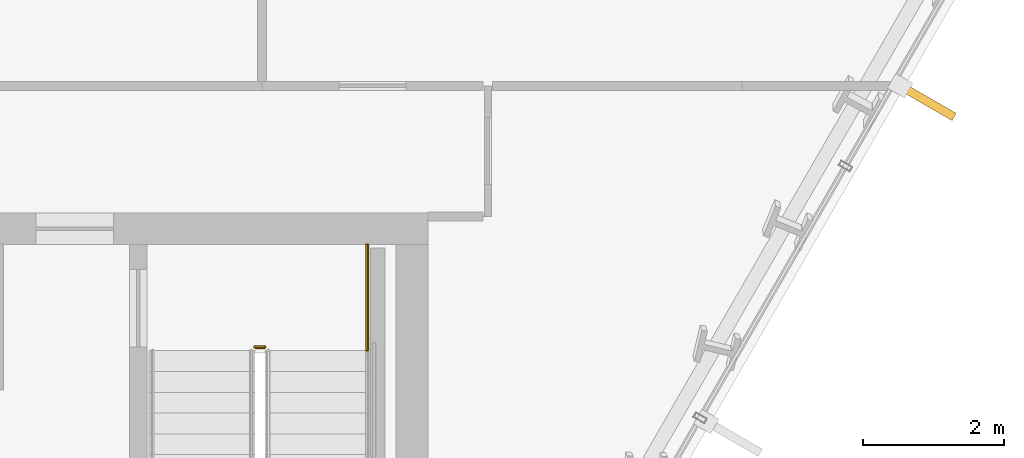
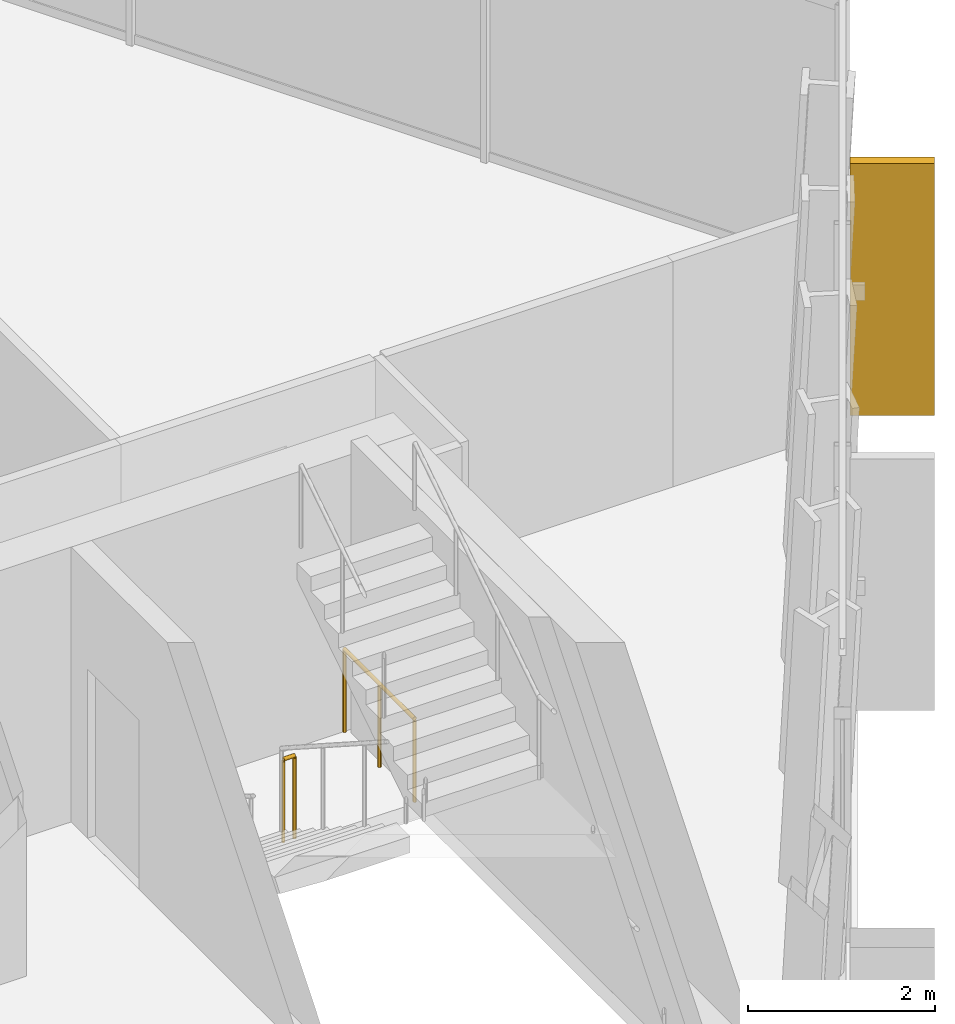
# One storey, part 32 of 33: 2 railings, 1 shading device.
"""IFC4 building model written with IfcOpenShell, lengths in metres."""

import ifcopenshell
import ifcopenshell.guid

model = None  # the IFC model being written
_history = None  # IfcOwnerHistory: only IFC2X3 demands one
_inside = {}  # id of a spatial element -> (the spatial element, [elements in it])
_under = {}  # id of a project, library or spatial element -> (it, [spatial elements below it])
_declared = {}  # id of a project -> (the project, [libraries it declares])
_typed = {}  # id of a type object -> (the type object, [elements of that type])
_made_of = {}  # id of a material, layer set ... -> (it, [elements and type objects made of it])


def new_model(schema):
    """Start an empty IFC model of exactly this schema.

    Asked for "IFC4X3", IfcOpenShell would pick the latest addendum, in which some entities
    have other attributes; the version numbers below select the first issue.
    IFC2X3 requires an IfcOwnerHistory on every rooted entity: one is made here for all.
    """
    global model, _history
    if schema == "IFC4X3":
        model = ifcopenshell.file(schema_version=(4, 3, 0, 0))
    else:
        model = ifcopenshell.file(schema=schema)
    _inside.clear()
    _under.clear()
    _declared.clear()
    _typed.clear()
    _made_of.clear()
    _history = None
    if model.schema == "IFC2X3":
        org = make("IfcOrganization", Name="unknown")
        user = make(
            "IfcPersonAndOrganization",
            ThePerson=make("IfcPerson", FamilyName="unknown"),
            TheOrganization=org,
        )
        app = make(
            "IfcApplication",
            ApplicationDeveloper=org,
            Version="unknown",
            ApplicationFullName="unknown",
            ApplicationIdentifier="unknown",
        )
        _history = make(
            "IfcOwnerHistory",
            OwningUser=user,
            OwningApplication=app,
            ChangeAction="ADDED",
            CreationDate=0,
        )
    return model


def make(cls, **values):
    """One entity of the class cls with the attributes given. An attribute that is None is left unset."""
    return model.create_entity(
        cls, **{name: value for name, value in values.items() if value is not None}
    )


def rooted(cls, **values):
    """An entity with a GlobalId (a new one), such as an element, a storey or a relation."""
    return make(cls, GlobalId=ifcopenshell.guid.new(), OwnerHistory=_history, **values)


def si_unit(unit_type, name, prefix=None):
    """IfcSIUnit, for example si_unit("LENGTHUNIT", "METRE", prefix="MILLI")."""
    return make("IfcSIUnit", UnitType=unit_type, Prefix=prefix, Name=name)


def assignment(units):
    """IfcUnitAssignment: the units of a project."""
    return None if units is None else make("IfcUnitAssignment", Units=units)


def point(xyz):
    """IfcCartesianPoint."""
    return None if xyz is None else make("IfcCartesianPoint", Coordinates=xyz)


def direction(xyz):
    """IfcDirection."""
    return None if xyz is None else make("IfcDirection", DirectionRatios=xyz)


def frame(location, z_axis=None, x_axis=None):
    """IfcAxis2Placement3D, a coordinate frame: its origin and axes. An axis left out is left unset."""
    return make(
        "IfcAxis2Placement3D",
        Location=point(location),
        Axis=direction(z_axis),
        RefDirection=direction(x_axis),
    )


def frame_2d(location, x_axis=None):
    """IfcAxis2Placement2D, a coordinate frame in the plane: its origin and x axis."""
    return make(
        "IfcAxis2Placement2D", Location=point(location), RefDirection=direction(x_axis)
    )


def origin():
    """The frame at (0, 0, 0) with its axes left unset."""
    return frame((0.0, 0.0, 0.0))


def origin_2d():
    """The frame at (0, 0) in the plane with its x axis left unset."""
    return frame_2d((0.0, 0.0))


def place(relative_to, where):
    """IfcLocalPlacement: puts the frame where relative to a parent placement (None: the world)."""
    return make(
        "IfcLocalPlacement", PlacementRelTo=relative_to, RelativePlacement=where
    )


def context(
    kind, dimensions, precision=None, world=None, true_north=None, identifier=None
):
    """IfcGeometricRepresentationContext, for example the 3D "Model" context."""
    return make(
        "IfcGeometricRepresentationContext",
        ContextIdentifier=identifier,
        ContextType=kind,
        CoordinateSpaceDimension=dimensions,
        Precision=precision,
        WorldCoordinateSystem=world,
        TrueNorth=true_north,
    )


def subcontext(parent, identifier, kind, view, scale=None):
    """IfcGeometricRepresentationSubContext, for example "Body" below "Model"."""
    return make(
        "IfcGeometricRepresentationSubContext",
        ContextIdentifier=identifier,
        ContextType=kind,
        ParentContext=parent,
        TargetScale=scale,
        TargetView=view,
    )


def project(units=None, contexts=None):
    """IfcProject with its units and contexts."""
    return rooted(
        "IfcProject",
        Name="project",
        RepresentationContexts=contexts,
        UnitsInContext=assignment(units),
    )


def spatial(cls, under=None, at=None, **own):
    """A site, building, storey or space (cls), placed at a placement, below another one or the project."""
    s = rooted(cls, ObjectPlacement=at, **own)
    if under is not None:
        _under.setdefault(under.id(), (under, []))[1].append(s)
    return s


def profile(cls, at=None, kind="AREA", **sizes):
    """A parametric profile (cls). Its sizes go by their IFC names, for example OverallWidth=200.0."""
    return make(cls, ProfileType=kind, Position=at, **sizes)


def rectangle(**sizes):
    """IfcRectangleProfileDef."""
    return profile("IfcRectangleProfileDef", **sizes)


def circle(**sizes):
    """IfcCircleProfileDef."""
    return profile("IfcCircleProfileDef", **sizes)


def extrude(swept, where, along, depth):
    """IfcExtrudedAreaSolid: the profile swept, set in the frame where, extruded along a direction by depth."""
    return make(
        "IfcExtrudedAreaSolid",
        SweptArea=swept,
        Position=where,
        ExtrudedDirection=direction(along),
        Depth=depth,
    )


def shape(context_of_items, identifier, shape_type, items):
    """IfcShapeRepresentation: the items that make up one representation, for example the "Body"."""
    return make(
        "IfcShapeRepresentation",
        ContextOfItems=context_of_items,
        RepresentationIdentifier=identifier,
        RepresentationType=shape_type,
        Items=items,
    )


def material(Name=None, Category=None):
    """IfcMaterial."""
    return make("IfcMaterial", Name=Name, Category=Category)


def layer(
    of_material, thickness, ventilated=None, Name=None, Category=None, Priority=None
):
    """IfcMaterialLayer: one layer of a wall or slab, of a material (None: an air gap)."""
    return make(
        "IfcMaterialLayer",
        Material=of_material,
        LayerThickness=thickness,
        IsVentilated=ventilated,
        Name=Name,
        Category=Category,
        Priority=Priority,
    )


def layer_set(layers, Name=None):
    """IfcMaterialLayerSet."""
    return make("IfcMaterialLayerSet", MaterialLayers=layers, LayerSetName=Name)


def made_of(thing, what):
    """Note that an element or type object is made of a material, layer set ...; save() writes the relation."""
    if what is not None:
        _made_of.setdefault(what.id(), (what, []))[1].append(thing)
    return thing


def type_object(cls, material=None, **own):
    """A type object (cls), such as IfcWallType, which elements share."""
    return made_of(rooted(cls, **own), material)


def element(
    cls,
    number,
    at=None,
    inside=None,
    cuts=None,
    type_object=None,
    material=None,
    context=None,
    identifier="Body",
    shape_type=None,
    held_by="IfcProductDefinitionShape",
    body=None,
    shapes=None,
    **own,
):
    """One element of the class cls, such as IfcWall. Its Tag is "e" and its number.

    at: its placement. inside: the storey or other place that contains it. cuts: it is an
    opening in that element (IfcRelVoidsElement). A single representation is given by context,
    identifier, shape_type and body (its items); several are given by shapes. held_by: the class
    of the entity that holds the representations. save() writes the other relations.
    """
    e = rooted(cls, Tag="e%d" % number, ObjectPlacement=at, **own)
    if body is not None:
        shapes = [shape(context, identifier, shape_type, body)]
    if shapes is not None:
        e.Representation = make(held_by, Representations=shapes)
    if inside is not None:
        _inside.setdefault(inside.id(), (inside, []))[1].append(e)
    if cuts is not None:
        rooted(
            "IfcRelVoidsElement", RelatingBuildingElement=cuts, RelatedOpeningElement=e
        )
    if type_object is not None:
        _typed.setdefault(type_object.id(), (type_object, []))[1].append(e)
    return made_of(e, material)


def aggregate(whole, parts):
    """IfcRelAggregates: a whole, such as a stair, and the parts it consists of."""
    return rooted("IfcRelAggregates", RelatingObject=whole, RelatedObjects=parts)


def save(model, path):
    """Write the relations noted so far, then the file.

    IfcRelAggregates (storeys below a building ...), IfcRelContainedInSpatialStructure (elements
    in a storey), IfcRelDefinesByType, IfcRelAssociatesMaterial and IfcRelDeclares: one each for
    every whole, place, type object, material and project.
    """
    for whole, parts in _under.values():
        aggregate(whole, parts)
    for where, things in _inside.values():
        rooted(
            "IfcRelContainedInSpatialStructure",
            RelatedElements=things,
            RelatingStructure=where,
        )
    for kind, things in _typed.values():
        rooted("IfcRelDefinesByType", RelatedObjects=things, RelatingType=kind)
    for what, things in _made_of.values():
        rooted("IfcRelAssociatesMaterial", RelatedObjects=things, RelatingMaterial=what)
    for by, libraries in _declared.values():
        rooted("IfcRelDeclares", RelatingContext=by, RelatedDefinitions=libraries)
    model.write(path)


model = new_model("IFC4")

# Units and contexts
model_context = context("Model", 3, precision=1e-05, world=origin(), true_north=direction((0.0, 1.0)))
body_context = subcontext(model_context, "Body", "Model", "MODEL_VIEW")
ifc_project = project(units=[si_unit("LENGTHUNIT", "METRE"), si_unit("AREAUNIT", "SQUARE_METRE"), si_unit("VOLUMEUNIT", "CUBIC_METRE"), si_unit("PLANEANGLEUNIT", "RADIAN"), si_unit("MASSUNIT", "GRAM", prefix="KILO")], contexts=[model_context])

# Site, building, storey
site_placement = place(None, origin())
site = spatial("IfcSite", under=ifc_project, at=site_placement, CompositionType="ELEMENT")
building_placement = place(site_placement, origin())
building = spatial("IfcBuilding", under=site, at=building_placement, Name="Ndaravel Arena Tower", CompositionType="ELEMENT")
storey_placement = place(building_placement, frame((0.0, 0.0, 43.60009765625)))
storey = spatial("IfcBuildingStorey", under=building, at=storey_placement, Name="L08", CompositionType="ELEMENT", Elevation=43.60009765625)

# Railings
ifc_material_1 = material(Name="Steel S355", Category="steel")
ifc_layer = layer(ifc_material_1, 0.06005859375)
ifc_layer_set = layer_set([ifc_layer], Name="Steel S355")
railing_type = type_object("IfcRailingType", Name="RAIL-STAIR-GD1100", PredefinedType="GUARDRAIL", material=ifc_layer_set)
railing_1_placement = place(storey_placement, frame((55.10009765625, 13.300048828125, 0.0)))
element("IfcRailing", 1, at=railing_1_placement, inside=storey, type_object=railing_type, Name="L08 ST-3 stair guard 4", PredefinedType="GUARDRAIL", context=body_context, shape_type="SweptSolid", body=[
    extrude(circle(Radius=0.02392578125, at=origin_2d()), frame((0.0, 0.0, 1.076171875), z_axis=(1.0, 0.0, 0.0), x_axis=(0.0, 1.0, 0.0)), (0.0, 0.0, 1.0), 0.139892578125),
    extrude(circle(Radius=0.02099609375, at=origin_2d()), origin(), (0.0, 0.0, 1.0), 1.052001953125),
    extrude(circle(Radius=0.02099609375, at=origin_2d()), frame((0.139892578125, 0.0, 0.0)), (0.0, 0.0, 1.0), 1.052001953125),
])
railing_2_placement = place(storey_placement, frame((56.68994140625, 14.75, 0.0)))
element("IfcRailing", 2, at=railing_2_placement, inside=storey, type_object=railing_type, Name="L08 ST-3 stair guard 5", PredefinedType="GUARDRAIL", context=body_context, shape_type="SweptSolid", body=[
    extrude(circle(Radius=0.02392578125, at=origin_2d()), frame((0.0, 0.0, 1.076171875), z_axis=(0.0, -1.0, 0.0), x_axis=(1.0, 0.0, 0.0)), (0.0, 0.0, 1.0), 1.5),
    extrude(circle(Radius=0.02099609375, at=origin_2d()), origin(), (0.0, 0.0, 1.0), 1.052001953125),
    extrude(circle(Radius=0.02099609375, at=origin_2d()), frame((0.0, -0.75, 0.0)), (0.0, 0.0, 1.0), 1.052001953125),
    extrude(circle(Radius=0.02099609375, at=origin_2d()), frame((0.0, -1.5, 0.0)), (0.0, 0.0, 1.0), 1.052001953125),
])

# Shading device
ifc_material_2 = material(Name="Masonry", Category="masonry")
shading_device_type = type_object("IfcShadingDeviceType", Name="SHD-MAZERAS-FIN", PredefinedType="SHUTTER", material=ifc_material_2)
shading_device_placement = place(storey_placement, frame((64.6162109375, 16.78466796875, 0.14990234375), z_axis=(0.0, 0.0, 1.0), x_axis=(0.866025403784, -0.5, 0.0)))
element("IfcShadingDevice", 3, at=shading_device_placement, inside=storey, type_object=shading_device_type, Name="L08 Mazeras Stone Solar Fin E2.3", PredefinedType="SHUTTER", context=body_context, shape_type="SweptSolid", body=[
    extrude(rectangle(XDim=0.89990234375, YDim=0.1201171875, at=origin_2d()), origin(), (0.0, 0.0, 1.0), 3.280029296875),
])

save(model, "model.ifc")
